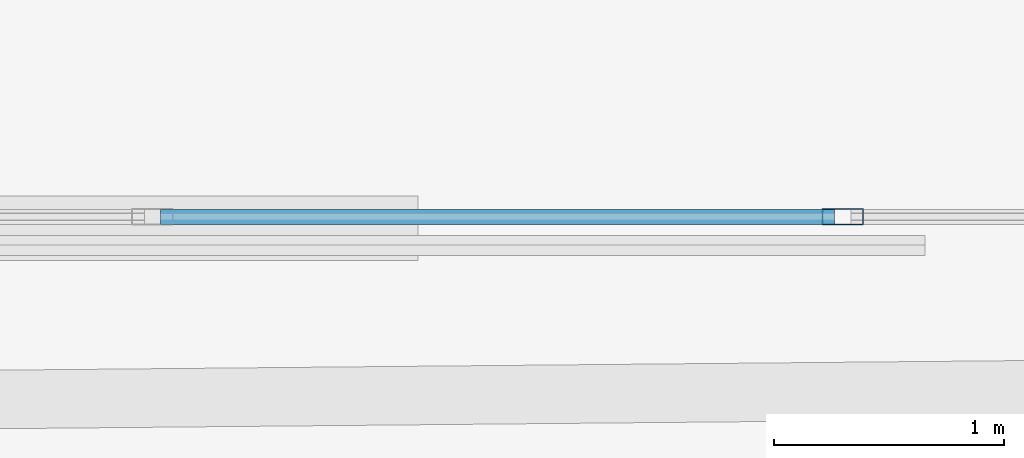
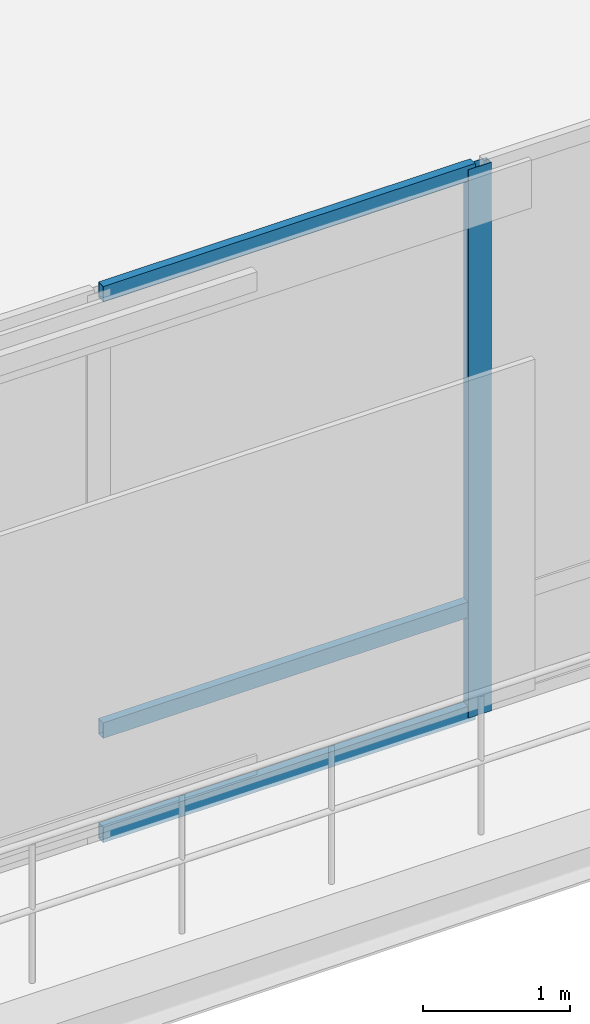
# One storey, part 3 of 48: 4 members, 1 element without a shape of its own.
"""IFC4 building model written with IfcOpenShell, lengths in metres."""

from ifc_helpers import new_model, si_unit, direction, frame, origin, origin_2d, place, context, subcontext, project, spatial, hollow_rectangle, extrude, material, layer, layer_set, material_profile, profile_set, type_object, element, aggregate, save


model = new_model("IFC4")

# Units and contexts
model_context = context("Model", 3, precision=1e-05, world=origin(), true_north=direction((0.0, 1.0)))
body_context = subcontext(model_context, "Body", "Model", "MODEL_VIEW")
ifc_project = project(units=[si_unit("LENGTHUNIT", "METRE"), si_unit("AREAUNIT", "SQUARE_METRE"), si_unit("VOLUMEUNIT", "CUBIC_METRE"), si_unit("PLANEANGLEUNIT", "RADIAN"), si_unit("MASSUNIT", "GRAM", prefix="KILO")], contexts=[model_context])

# Site, building, storey
site_placement = place(None, origin())
site = spatial("IfcSite", under=ifc_project, at=site_placement, CompositionType="ELEMENT")
building_placement = place(site_placement, origin())
building = spatial("IfcBuilding", under=site, at=building_placement, Name="Caelvoria Tower", CompositionType="ELEMENT")
storey_placement = place(building_placement, frame((0.0, 0.0, 90.39990234375)))
storey = spatial("IfcBuildingStorey", under=building, at=storey_placement, Name="L23", CompositionType="ELEMENT", Elevation=90.39990234375)

# Curtain wall, members
ifc_material_1 = material(Name="Anodised Bronze Aluminium and Low-E Glass", Category="aluminium")
ifc_layer = layer(ifc_material_1, 0.2099609375, Name="Anodised Bronze Aluminium and Low-E Glass")
ifc_layer_set = layer_set([ifc_layer], Name="CW System 3 Sky Lobby Double-Height Acoustic Facade - Anodised Bronze Aluminium and Low-E Glass")
curtain_wall_type = type_object("IfcCurtainWallType", Name="CW System 3 Sky Lobby Double-Height Acoustic Facade", PredefinedType="NOTDEFINED", material=ifc_layer_set)
curtain_wall_placement = place(storey_placement, origin())
curtain_wall = element("IfcCurtainWall", 1, at=curtain_wall_placement, inside=storey, type_object=curtain_wall_type, Name="CW-03 Curtain Wall L23-E0", PredefinedType="NOTDEFINED")
ifc_material_2 = material(Name="Anodised Bronze Architectural Aluminium", Category="aluminium")
ifc_material_profile_1 = material_profile(ifc_material_2, hollow_rectangle(XDim=0.070068359375, YDim=0.179931640625, WallThickness=0.00390625, at=origin_2d()), Name="Anodised Bronze Architectural Aluminium")
ifc_profile_set_1 = profile_set([ifc_material_profile_1], Name="CW_MULL_70X180 - Anodised Bronze Architectural Aluminium")
member_type_1 = type_object("IfcMemberType", Name="Curtain Wall Mullion 70x180 Bronze Aluminium", PredefinedType="MULLION", material=ifc_profile_set_1)
member_1_placement = place(storey_placement, frame((35.517822265625, 11.0966796875, 0.0), z_axis=(0.0, 0.0, 1.0), x_axis=(0.0, 1.0, 0.0)))
member_1 = element("IfcMember", 2, at=member_1_placement, type_object=member_type_1, Name="CW-03 mullion 4", PredefinedType="MULLION", context=body_context, shape_type="SweptSolid", body=[
    extrude(hollow_rectangle(XDim=0.070068359375, YDim=0.179931640625, WallThickness=0.00390625, at=origin_2d()), origin(), (0.0, 0.0, 1.0), 4.56005859375),
])
ifc_material_profile_2 = material_profile(ifc_material_2, hollow_rectangle(XDim=0.06494140625, YDim=0.1298828125, WallThickness=0.00341796875, at=origin_2d()), Name="Anodised Bronze Architectural Aluminium")
ifc_profile_set_2 = profile_set([ifc_material_profile_2], Name="CW_TRAN_65X130 - Anodised Bronze Architectural Aluminium")
member_type_2 = type_object("IfcMemberType", Name="Curtain Wall Transom 65x130 Bronze Aluminium", PredefinedType="USERDEFINED", material=ifc_profile_set_2)
member_2_placement = place(storey_placement, frame((32.55810546875, 11.0966796875, 0.03271484375), z_axis=(1.0, 0.0, 0.0), x_axis=(0.0, 1.0, 0.0)))
member_2 = element("IfcMember", 3, at=member_2_placement, type_object=member_type_2, Name="CW-03 transom 3.1", ObjectType="TRANSOM", PredefinedType="USERDEFINED", context=body_context, shape_type="SweptSolid", body=[
    extrude(hollow_rectangle(XDim=0.06494140625, YDim=0.1298828125, WallThickness=0.00341796875, at=origin_2d()), origin(), (0.0, 0.0, 1.0), 2.9248046875),
])
member_3_placement = place(storey_placement, frame((32.55810546875, 11.0966796875, 0.900146484375), z_axis=(1.0, 0.0, 0.0), x_axis=(0.0, 1.0, 0.0)))
member_3 = element("IfcMember", 4, at=member_3_placement, type_object=member_type_2, Name="CW-03 transom 3.2", ObjectType="TRANSOM", PredefinedType="USERDEFINED", context=body_context, shape_type="SweptSolid", body=[
    extrude(hollow_rectangle(XDim=0.06494140625, YDim=0.1298828125, WallThickness=0.00341796875, at=origin_2d()), origin(), (0.0, 0.0, 1.0), 2.9248046875),
])
member_4_placement = place(storey_placement, frame((32.55810546875, 11.0966796875, 4.527587890625), z_axis=(1.0, 0.0, 0.0), x_axis=(0.0, 1.0, 0.0)))
member_4 = element("IfcMember", 5, at=member_4_placement, type_object=member_type_2, Name="CW-03 transom 3.3", ObjectType="TRANSOM", PredefinedType="USERDEFINED", context=body_context, shape_type="SweptSolid", body=[
    extrude(hollow_rectangle(XDim=0.06494140625, YDim=0.1298828125, WallThickness=0.00341796875, at=origin_2d()), origin(), (0.0, 0.0, 1.0), 2.9248046875),
])
aggregate(curtain_wall, [member_1, member_2, member_3, member_4])

save(model, "model.ifc")
